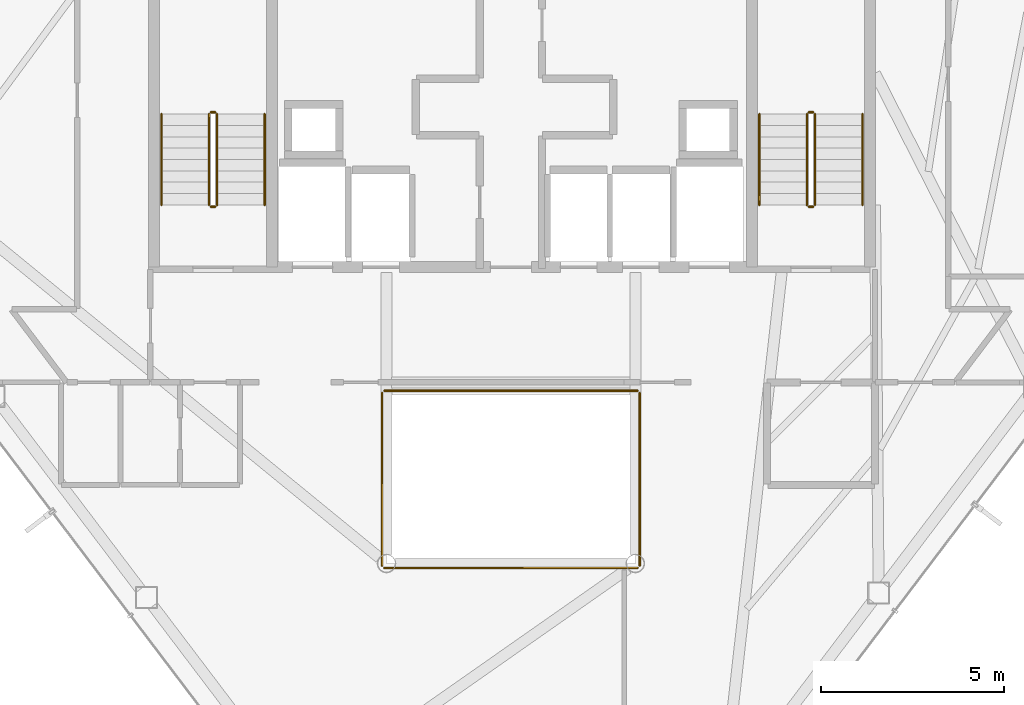
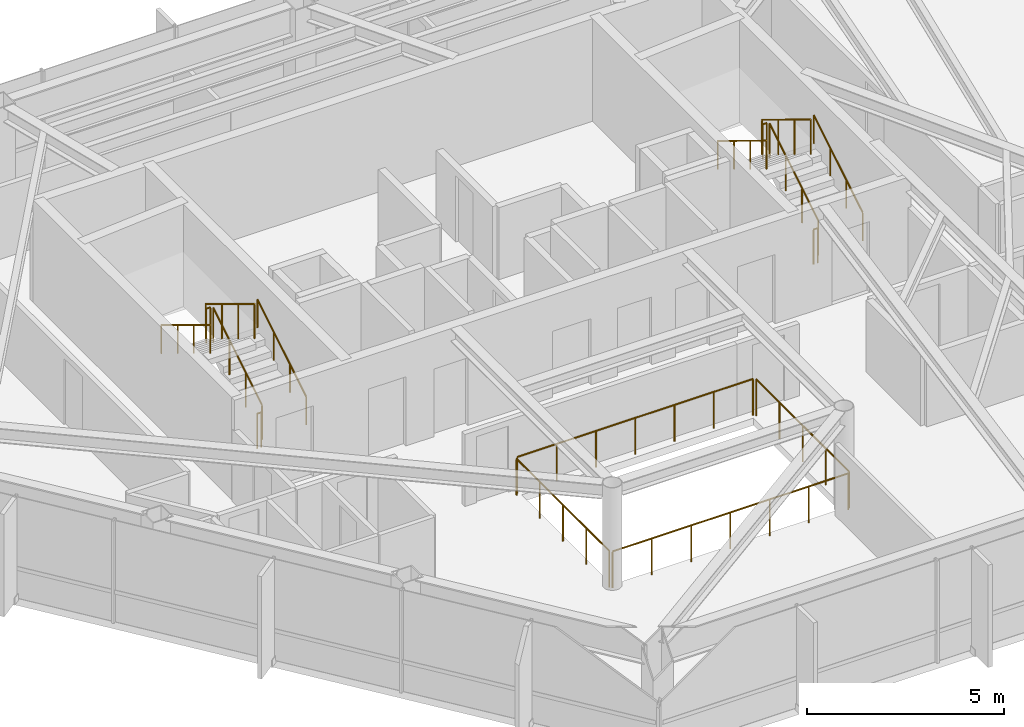
# One storey, part 28 of 28: 16 railings.
"""IFC4 building model written with IfcOpenShell, lengths in metres."""

from ifc_helpers import new_model, si_unit, direction, frame, origin, origin_2d, place, context, subcontext, project, spatial, circle, extrude, material, type_object, element, save


model = new_model("IFC4")

# Units and contexts
model_context = context("Model", 3, precision=1e-05, world=origin(), true_north=direction((0.0, 1.0)))
body_context = subcontext(model_context, "Body", "Model", "MODEL_VIEW")
ifc_project = project(units=[si_unit("LENGTHUNIT", "METRE"), si_unit("AREAUNIT", "SQUARE_METRE"), si_unit("VOLUMEUNIT", "CUBIC_METRE"), si_unit("PLANEANGLEUNIT", "RADIAN"), si_unit("MASSUNIT", "GRAM", prefix="KILO")], contexts=[model_context])

# Site, building, storey
site_placement = place(None, origin())
site = spatial("IfcSite", under=ifc_project, at=site_placement, CompositionType="ELEMENT")
building_placement = place(site_placement, origin())
building = spatial("IfcBuilding", under=site, at=building_placement, Name="Zarrinselat Tower", CompositionType="ELEMENT")
storey_placement = place(building_placement, frame((0.0, 0.0, 218.9599609375)))
storey = spatial("IfcBuildingStorey", under=building, at=storey_placement, Name="L54", CompositionType="ELEMENT", Elevation=218.9599609375)

# Railings
ifc_material_1 = material(Name="Double Low-E Laminated Solar Glass", Category="glass")
railing_type_1 = type_object("IfcRailingType", Name="RLG-ATRIUM-BAL", PredefinedType="BALUSTRADE", material=ifc_material_1)
railing_1_placement = place(storey_placement, frame((34.93994140625, 25.080078125, 0.0)))
element("IfcRailing", 1, at=railing_1_placement, inside=storey, type_object=railing_type_1, Name="L54 Atrium Void Glass Balustrade S", PredefinedType="BALUSTRADE", context=body_context, shape_type="SweptSolid", body=[
    extrude(circle(Radius=0.02392578125, at=origin_2d()), frame((0.0, 0.0, 1.1259765625), z_axis=(1.0, 0.0, 0.0), x_axis=(0.0, 1.0, 0.0)), (0.0, 0.0, 1.0), 6.920166015625),
    extrude(circle(Radius=0.02099609375, at=origin_2d()), origin(), (0.0, 0.0, 1.0), 1.099853515625),
    extrude(circle(Radius=0.02099609375, at=origin_2d()), frame((1.1533203125, 0.0, 0.0)), (0.0, 0.0, 1.0), 1.099853515625),
    extrude(circle(Radius=0.02099609375, at=origin_2d()), frame((2.306640625, 0.0, 0.0)), (0.0, 0.0, 1.0), 1.099853515625),
    extrude(circle(Radius=0.02099609375, at=origin_2d()), frame((3.4599609375, 0.0, 0.0)), (0.0, 0.0, 1.0), 1.099853515625),
    extrude(circle(Radius=0.02099609375, at=origin_2d()), frame((4.613525390625, 0.0, 0.0)), (0.0, 0.0, 1.0), 1.099853515625),
    extrude(circle(Radius=0.02099609375, at=origin_2d()), frame((5.766845703125, 0.0, 0.0)), (0.0, 0.0, 1.0), 1.099853515625),
    extrude(circle(Radius=0.02099609375, at=origin_2d()), frame((6.920166015625, 0.0, 0.0)), (0.0, 0.0, 1.0), 1.099853515625),
])
railing_2_placement = place(storey_placement, frame((41.919921875, 25.139892578125, 0.0)))
element("IfcRailing", 2, at=railing_2_placement, inside=storey, type_object=railing_type_1, Name="L54 Atrium Void Glass Balustrade E", PredefinedType="BALUSTRADE", context=body_context, shape_type="SweptSolid", body=[
    extrude(circle(Radius=0.02392578125, at=origin_2d()), frame((0.0, 0.0, 1.1259765625), z_axis=(0.0, 1.0, 0.0), x_axis=(-1.0, 0.0, 0.0)), (0.0, 0.0, 1.0), 4.72021484375),
    extrude(circle(Radius=0.02099609375, at=origin_2d()), origin(), (0.0, 0.0, 1.0), 1.099853515625),
    extrude(circle(Radius=0.02099609375, at=origin_2d()), frame((0.0, 1.18017578125, 0.0)), (0.0, 0.0, 1.0), 1.099853515625),
    extrude(circle(Radius=0.02099609375, at=origin_2d()), frame((0.0, 2.360107421875, 0.0)), (0.0, 0.0, 1.0), 1.099853515625),
    extrude(circle(Radius=0.02099609375, at=origin_2d()), frame((0.0, 3.5400390625, 0.0)), (0.0, 0.0, 1.0), 1.099853515625),
    extrude(circle(Radius=0.02099609375, at=origin_2d()), frame((0.0, 4.72021484375, 0.0)), (0.0, 0.0, 1.0), 1.099853515625),
])
railing_3_placement = place(storey_placement, frame((41.860107421875, 29.919921875, 0.0)))
element("IfcRailing", 3, at=railing_3_placement, inside=storey, type_object=railing_type_1, Name="L54 Atrium Void Glass Balustrade N", PredefinedType="BALUSTRADE", context=body_context, shape_type="SweptSolid", body=[
    extrude(circle(Radius=0.02392578125, at=origin_2d()), frame((0.0, 0.0, 1.1259765625), z_axis=(-1.0, 0.0, 0.0), x_axis=(0.0, -1.0, 0.0)), (0.0, 0.0, 1.0), 6.920166015625),
    extrude(circle(Radius=0.02099609375, at=origin_2d()), origin(), (0.0, 0.0, 1.0), 1.099853515625),
    extrude(circle(Radius=0.02099609375, at=origin_2d()), frame((-1.1533203125, 0.0, 0.0)), (0.0, 0.0, 1.0), 1.099853515625),
    extrude(circle(Radius=0.02099609375, at=origin_2d()), frame((-2.306640625, 0.0, 0.0)), (0.0, 0.0, 1.0), 1.099853515625),
    extrude(circle(Radius=0.02099609375, at=origin_2d()), frame((-3.4599609375, 0.0, 0.0)), (0.0, 0.0, 1.0), 1.099853515625),
    extrude(circle(Radius=0.02099609375, at=origin_2d()), frame((-4.613525390625, 0.0, 0.0)), (0.0, 0.0, 1.0), 1.099853515625),
    extrude(circle(Radius=0.02099609375, at=origin_2d()), frame((-5.766845703125, 0.0, 0.0)), (0.0, 0.0, 1.0), 1.099853515625),
    extrude(circle(Radius=0.02099609375, at=origin_2d()), frame((-6.920166015625, 0.0, 0.0)), (0.0, 0.0, 1.0), 1.099853515625),
])
railing_4_placement = place(storey_placement, frame((34.8798828125, 29.860107421875, 0.0)))
element("IfcRailing", 4, at=railing_4_placement, inside=storey, type_object=railing_type_1, Name="L54 Atrium Void Glass Balustrade W", PredefinedType="BALUSTRADE", context=body_context, shape_type="SweptSolid", body=[
    extrude(circle(Radius=0.02392578125, at=origin_2d()), frame((0.0, 0.0, 1.1259765625), z_axis=(0.0, -1.0, 0.0), x_axis=(1.0, 0.0, 0.0)), (0.0, 0.0, 1.0), 4.72021484375),
    extrude(circle(Radius=0.02099609375, at=origin_2d()), origin(), (0.0, 0.0, 1.0), 1.099853515625),
    extrude(circle(Radius=0.02099609375, at=origin_2d()), frame((0.0, -1.18017578125, 0.0)), (0.0, 0.0, 1.0), 1.099853515625),
    extrude(circle(Radius=0.02099609375, at=origin_2d()), frame((0.0, -2.360107421875, 0.0)), (0.0, 0.0, 1.0), 1.099853515625),
    extrude(circle(Radius=0.02099609375, at=origin_2d()), frame((0.0, -3.5400390625, 0.0)), (0.0, 0.0, 1.0), 1.099853515625),
    extrude(circle(Radius=0.02099609375, at=origin_2d()), frame((0.0, -4.72021484375, 0.0)), (0.0, 0.0, 1.0), 1.099853515625),
])
ifc_material_2 = material(Name="Steel S355J2", Category="steel")
railing_type_2 = type_object("IfcRailingType", Name="RLG-STAIR-GUARD", PredefinedType="GUARDRAIL", material=ifc_material_2)
railing_5_placement = place(storey_placement, frame((30.3701171875, 35.0, 0.18896484375)))
element("IfcRailing", 5, at=railing_5_placement, inside=storey, type_object=railing_type_2, Name="L54 ST-1 stair guard 1", PredefinedType="GUARDRAIL", context=body_context, shape_type="SweptSolid", body=[
    extrude(circle(Radius=0.02392578125, at=origin_2d()), frame((0.0, 0.0, 1.076171875), z_axis=(0.0, 0.8539793189, 0.520306950647), x_axis=(-1.0, 0.0, 0.0)), (0.0, 0.0, 1.0), 2.904052734375),
    extrude(circle(Radius=0.02099609375, at=origin_2d()), origin(), (0.0, 0.0, 1.0), 1.050048828125),
    extrude(circle(Radius=0.02099609375, at=origin_2d()), frame((0.0, 0.82666015625, 0.503662109375)), (0.0, 0.0, 1.0), 1.050048828125),
    extrude(circle(Radius=0.02099609375, at=origin_2d()), frame((0.0, 1.6533203125, 1.00732421875)), (0.0, 0.0, 1.0), 1.050048828125),
    extrude(circle(Radius=0.02099609375, at=origin_2d()), frame((0.0, 2.47998046875, 1.510986328125)), (0.0, 0.0, 1.0), 1.050048828125),
])
railing_6_placement = place(storey_placement, frame((30.320068359375, 37.530029296875, 1.699951171875)))
element("IfcRailing", 6, at=railing_6_placement, inside=storey, type_object=railing_type_2, Name="L54 ST-1 stair guard 2", PredefinedType="GUARDRAIL", context=body_context, shape_type="SweptSolid", body=[
    extrude(circle(Radius=0.02392578125, at=origin_2d()), frame((0.0, 0.0, 1.076171875), z_axis=(-1.0, 0.0, 0.0), x_axis=(0.0, -1.0, 0.0)), (0.0, 0.0, 1.0), 0.1201171875),
    extrude(circle(Radius=0.02099609375, at=origin_2d()), origin(), (0.0, 0.0, 1.0), 1.050048828125),
    extrude(circle(Radius=0.02099609375, at=origin_2d()), frame((-0.1201171875, 0.0, 0.0)), (0.0, 0.0, 1.0), 1.050048828125),
])
railing_7_placement = place(storey_placement, frame((30.14990234375, 37.47998046875, 1.888916015625)))
element("IfcRailing", 7, at=railing_7_placement, inside=storey, type_object=railing_type_2, Name="L54 ST-1 stair guard 3", PredefinedType="GUARDRAIL", context=body_context, shape_type="SweptSolid", body=[
    extrude(circle(Radius=0.02392578125, at=origin_2d()), frame((0.0, 0.0, 1.076171875), z_axis=(0.0, -0.853941963558, 0.520368256982), x_axis=(1.0, 0.0, 0.0)), (0.0, 0.0, 1.0), 2.904052734375),
    extrude(circle(Radius=0.02099609375, at=origin_2d()), origin(), (0.0, 0.0, 1.0), 1.050048828125),
    extrude(circle(Radius=0.02099609375, at=origin_2d()), frame((0.0, -0.82666015625, 0.503662109375)), (0.0, 0.0, 1.0), 1.050048828125),
    extrude(circle(Radius=0.02099609375, at=origin_2d()), frame((0.0, -1.6533203125, 1.007568359375)), (0.0, 0.0, 1.0), 1.050048828125),
    extrude(circle(Radius=0.02099609375, at=origin_2d()), frame((0.0, -2.47998046875, 1.51123046875)), (0.0, 0.0, 1.0), 1.050048828125),
])
railing_8_placement = place(storey_placement, frame((30.320068359375, 34.949951171875, 0.0)))
element("IfcRailing", 8, at=railing_8_placement, inside=storey, type_object=railing_type_2, Name="L54 ST-1 stair guard 4", PredefinedType="GUARDRAIL", context=body_context, shape_type="SweptSolid", body=[
    extrude(circle(Radius=0.02392578125, at=origin_2d()), frame((0.0, 0.0, 1.076171875), z_axis=(-1.0, 0.0, 0.0), x_axis=(0.0, -1.0, 0.0)), (0.0, 0.0, 1.0), 0.1201171875),
    extrude(circle(Radius=0.02099609375, at=origin_2d()), origin(), (0.0, 0.0, 1.0), 1.050048828125),
    extrude(circle(Radius=0.02099609375, at=origin_2d()), frame((-0.1201171875, 0.0, 0.0)), (0.0, 0.0, 1.0), 1.050048828125),
])
railing_9_placement = place(storey_placement, frame((46.7099609375, 35.0, 0.18896484375)))
element("IfcRailing", 9, at=railing_9_placement, inside=storey, type_object=railing_type_2, Name="L54 ST-2 stair guard 1", PredefinedType="GUARDRAIL", context=body_context, shape_type="SweptSolid", body=[
    extrude(circle(Radius=0.02392578125, at=origin_2d()), frame((0.0, 0.0, 1.076171875), z_axis=(0.0, 0.8539793189, 0.520306950647), x_axis=(-1.0, 0.0, 0.0)), (0.0, 0.0, 1.0), 2.904052734375),
    extrude(circle(Radius=0.02099609375, at=origin_2d()), origin(), (0.0, 0.0, 1.0), 1.050048828125),
    extrude(circle(Radius=0.02099609375, at=origin_2d()), frame((0.0, 0.82666015625, 0.503662109375)), (0.0, 0.0, 1.0), 1.050048828125),
    extrude(circle(Radius=0.02099609375, at=origin_2d()), frame((0.0, 1.6533203125, 1.00732421875)), (0.0, 0.0, 1.0), 1.050048828125),
    extrude(circle(Radius=0.02099609375, at=origin_2d()), frame((0.0, 2.47998046875, 1.510986328125)), (0.0, 0.0, 1.0), 1.050048828125),
])
railing_10_placement = place(storey_placement, frame((46.659912109375, 37.530029296875, 1.699951171875)))
element("IfcRailing", 10, at=railing_10_placement, inside=storey, type_object=railing_type_2, Name="L54 ST-2 stair guard 2", PredefinedType="GUARDRAIL", context=body_context, shape_type="SweptSolid", body=[
    extrude(circle(Radius=0.02392578125, at=origin_2d()), frame((0.0, 0.0, 1.076171875), z_axis=(-1.0, 0.0, 0.0), x_axis=(0.0, -1.0, 0.0)), (0.0, 0.0, 1.0), 0.119873046875),
    extrude(circle(Radius=0.02099609375, at=origin_2d()), origin(), (0.0, 0.0, 1.0), 1.050048828125),
    extrude(circle(Radius=0.02099609375, at=origin_2d()), frame((-0.119873046875, 0.0, 0.0)), (0.0, 0.0, 1.0), 1.050048828125),
])
railing_11_placement = place(storey_placement, frame((46.489990234375, 37.47998046875, 1.888916015625)))
element("IfcRailing", 11, at=railing_11_placement, inside=storey, type_object=railing_type_2, Name="L54 ST-2 stair guard 3", PredefinedType="GUARDRAIL", context=body_context, shape_type="SweptSolid", body=[
    extrude(circle(Radius=0.02392578125, at=origin_2d()), frame((0.0, 0.0, 1.076171875), z_axis=(0.0, -0.853941963558, 0.520368256982), x_axis=(1.0, 0.0, 0.0)), (0.0, 0.0, 1.0), 2.904052734375),
    extrude(circle(Radius=0.02099609375, at=origin_2d()), origin(), (0.0, 0.0, 1.0), 1.050048828125),
    extrude(circle(Radius=0.02099609375, at=origin_2d()), frame((0.0, -0.82666015625, 0.503662109375)), (0.0, 0.0, 1.0), 1.050048828125),
    extrude(circle(Radius=0.02099609375, at=origin_2d()), frame((0.0, -1.6533203125, 1.007568359375)), (0.0, 0.0, 1.0), 1.050048828125),
    extrude(circle(Radius=0.02099609375, at=origin_2d()), frame((0.0, -2.47998046875, 1.51123046875)), (0.0, 0.0, 1.0), 1.050048828125),
])
railing_12_placement = place(storey_placement, frame((46.659912109375, 34.949951171875, 0.0)))
element("IfcRailing", 12, at=railing_12_placement, inside=storey, type_object=railing_type_2, Name="L54 ST-2 stair guard 4", PredefinedType="GUARDRAIL", context=body_context, shape_type="SweptSolid", body=[
    extrude(circle(Radius=0.02392578125, at=origin_2d()), frame((0.0, 0.0, 1.076171875), z_axis=(-1.0, 0.0, 0.0), x_axis=(0.0, -1.0, 0.0)), (0.0, 0.0, 1.0), 0.119873046875),
    extrude(circle(Radius=0.02099609375, at=origin_2d()), origin(), (0.0, 0.0, 1.0), 1.050048828125),
    extrude(circle(Radius=0.02099609375, at=origin_2d()), frame((-0.119873046875, 0.0, 0.0)), (0.0, 0.0, 1.0), 1.050048828125),
])
ifc_material_3 = material(Name="Steel S355J2", Category="steel")
railing_type_3 = type_object("IfcRailingType", Name="RLG-STAIR-HAND", PredefinedType="HANDRAIL", material=ifc_material_3)
railing_13_placement = place(storey_placement, frame((31.669921875, 35.0, 0.18896484375)))
element("IfcRailing", 13, at=railing_13_placement, inside=storey, type_object=railing_type_3, Name="L54 ST-1 stair handrail 1", PredefinedType="HANDRAIL", context=body_context, shape_type="SweptSolid", body=[
    extrude(circle(Radius=0.02392578125, at=origin_2d()), frame((0.0, 0.0, 0.8759765625), z_axis=(0.0, 0.8539793189, 0.520306950647), x_axis=(-1.0, 0.0, 0.0)), (0.0, 0.0, 1.0), 2.904052734375),
    extrude(circle(Radius=0.02099609375, at=origin_2d()), origin(), (0.0, 0.0, 1.0), 0.849853515625),
    extrude(circle(Radius=0.02099609375, at=origin_2d()), frame((0.0, 0.82666015625, 0.503662109375)), (0.0, 0.0, 1.0), 0.849853515625),
    extrude(circle(Radius=0.02099609375, at=origin_2d()), frame((0.0, 1.6533203125, 1.00732421875)), (0.0, 0.0, 1.0), 0.849853515625),
    extrude(circle(Radius=0.02099609375, at=origin_2d()), frame((0.0, 2.47998046875, 1.510986328125)), (0.0, 0.0, 1.0), 0.849853515625),
])
railing_14_placement = place(storey_placement, frame((28.85009765625, 37.47998046875, 1.888916015625)))
element("IfcRailing", 14, at=railing_14_placement, inside=storey, type_object=railing_type_3, Name="L54 ST-1 stair handrail 2", PredefinedType="HANDRAIL", context=body_context, shape_type="SweptSolid", body=[
    extrude(circle(Radius=0.02392578125, at=origin_2d()), frame((0.0, 0.0, 0.8759765625), z_axis=(0.0, -0.853941963558, 0.520368256982), x_axis=(1.0, 0.0, 0.0)), (0.0, 0.0, 1.0), 2.904052734375),
    extrude(circle(Radius=0.02099609375, at=origin_2d()), origin(), (0.0, 0.0, 1.0), 0.849853515625),
    extrude(circle(Radius=0.02099609375, at=origin_2d()), frame((0.0, -0.82666015625, 0.503662109375)), (0.0, 0.0, 1.0), 0.849853515625),
    extrude(circle(Radius=0.02099609375, at=origin_2d()), frame((0.0, -1.6533203125, 1.007568359375)), (0.0, 0.0, 1.0), 0.849853515625),
    extrude(circle(Radius=0.02099609375, at=origin_2d()), frame((0.0, -2.47998046875, 1.51123046875)), (0.0, 0.0, 1.0), 0.849853515625),
])
railing_15_placement = place(storey_placement, frame((48.010009765625, 35.0, 0.18896484375)))
element("IfcRailing", 15, at=railing_15_placement, inside=storey, type_object=railing_type_3, Name="L54 ST-2 stair handrail 1", PredefinedType="HANDRAIL", context=body_context, shape_type="SweptSolid", body=[
    extrude(circle(Radius=0.02392578125, at=origin_2d()), frame((0.0, 0.0, 0.8759765625), z_axis=(0.0, 0.8539793189, 0.520306950647), x_axis=(-1.0, 0.0, 0.0)), (0.0, 0.0, 1.0), 2.904052734375),
    extrude(circle(Radius=0.02099609375, at=origin_2d()), origin(), (0.0, 0.0, 1.0), 0.849853515625),
    extrude(circle(Radius=0.02099609375, at=origin_2d()), frame((0.0, 0.82666015625, 0.503662109375)), (0.0, 0.0, 1.0), 0.849853515625),
    extrude(circle(Radius=0.02099609375, at=origin_2d()), frame((0.0, 1.6533203125, 1.00732421875)), (0.0, 0.0, 1.0), 0.849853515625),
    extrude(circle(Radius=0.02099609375, at=origin_2d()), frame((0.0, 2.47998046875, 1.510986328125)), (0.0, 0.0, 1.0), 0.849853515625),
])
railing_16_placement = place(storey_placement, frame((45.18994140625, 37.47998046875, 1.888916015625)))
element("IfcRailing", 16, at=railing_16_placement, inside=storey, type_object=railing_type_3, Name="L54 ST-2 stair handrail 2", PredefinedType="HANDRAIL", context=body_context, shape_type="SweptSolid", body=[
    extrude(circle(Radius=0.02392578125, at=origin_2d()), frame((0.0, 0.0, 0.8759765625), z_axis=(0.0, -0.853941963558, 0.520368256982), x_axis=(1.0, 0.0, 0.0)), (0.0, 0.0, 1.0), 2.904052734375),
    extrude(circle(Radius=0.02099609375, at=origin_2d()), origin(), (0.0, 0.0, 1.0), 0.849853515625),
    extrude(circle(Radius=0.02099609375, at=origin_2d()), frame((0.0, -0.82666015625, 0.503662109375)), (0.0, 0.0, 1.0), 0.849853515625),
    extrude(circle(Radius=0.02099609375, at=origin_2d()), frame((0.0, -1.6533203125, 1.007568359375)), (0.0, 0.0, 1.0), 0.849853515625),
    extrude(circle(Radius=0.02099609375, at=origin_2d()), frame((0.0, -2.47998046875, 1.51123046875)), (0.0, 0.0, 1.0), 0.849853515625),
])

save(model, "model.ifc")
